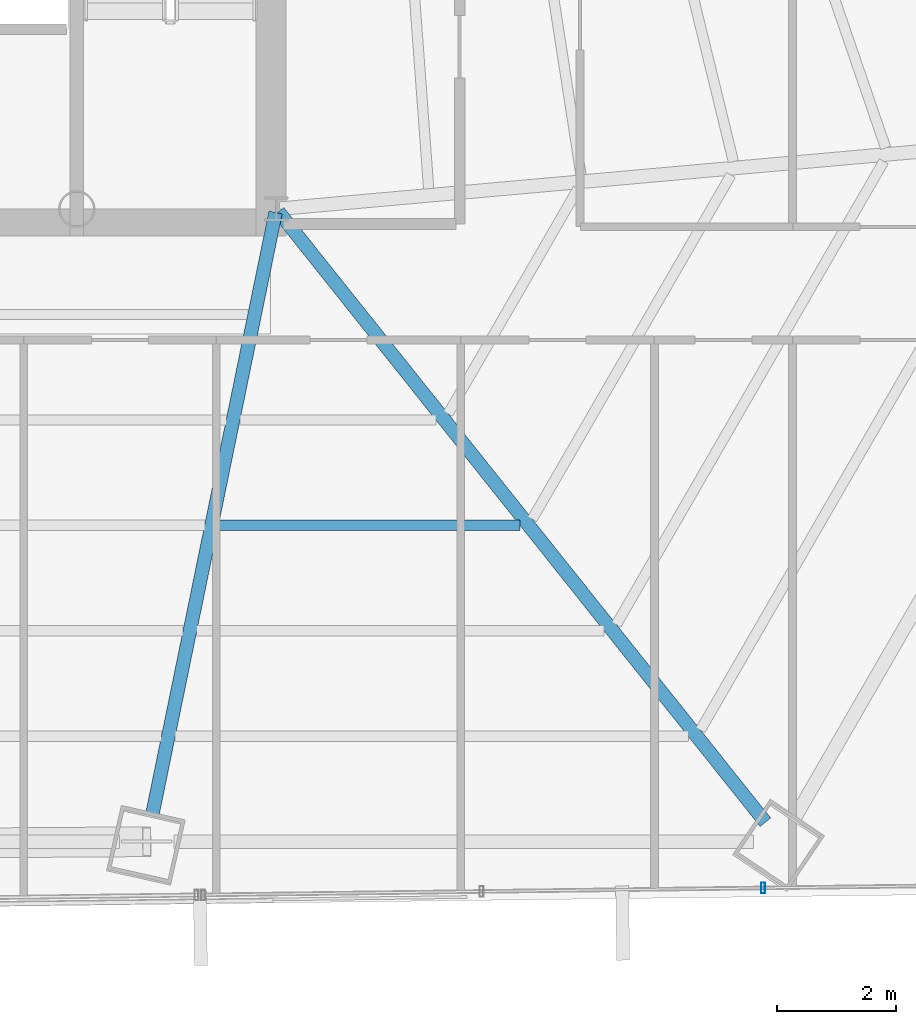
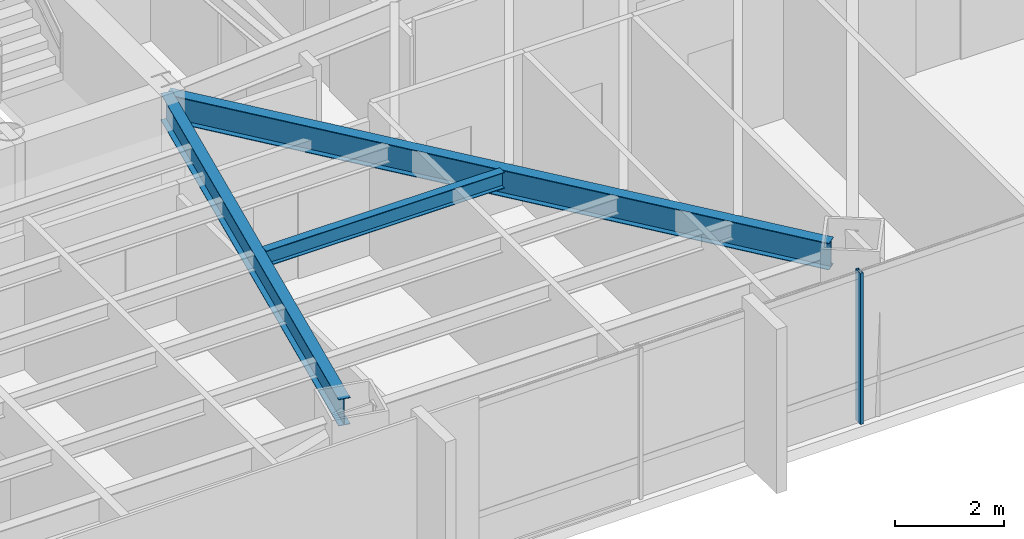
# One storey, part 15 of 35: 3 beams, 1 member, 1 element without a shape of its own.
"""IFC4 building model written with IfcOpenShell, lengths in metres."""

import ifcopenshell
import ifcopenshell.guid

model = None  # the IFC model being written
_history = None  # IfcOwnerHistory: only IFC2X3 demands one
_inside = {}  # id of a spatial element -> (the spatial element, [elements in it])
_under = {}  # id of a project, library or spatial element -> (it, [spatial elements below it])
_declared = {}  # id of a project -> (the project, [libraries it declares])
_typed = {}  # id of a type object -> (the type object, [elements of that type])
_made_of = {}  # id of a material, layer set ... -> (it, [elements and type objects made of it])


def new_model(schema):
    """Start an empty IFC model of exactly this schema.

    Asked for "IFC4X3", IfcOpenShell would pick the latest addendum, in which some entities
    have other attributes; the version numbers below select the first issue.
    IFC2X3 requires an IfcOwnerHistory on every rooted entity: one is made here for all.
    """
    global model, _history
    if schema == "IFC4X3":
        model = ifcopenshell.file(schema_version=(4, 3, 0, 0))
    else:
        model = ifcopenshell.file(schema=schema)
    _inside.clear()
    _under.clear()
    _declared.clear()
    _typed.clear()
    _made_of.clear()
    _history = None
    if model.schema == "IFC2X3":
        org = make("IfcOrganization", Name="unknown")
        user = make(
            "IfcPersonAndOrganization",
            ThePerson=make("IfcPerson", FamilyName="unknown"),
            TheOrganization=org,
        )
        app = make(
            "IfcApplication",
            ApplicationDeveloper=org,
            Version="unknown",
            ApplicationFullName="unknown",
            ApplicationIdentifier="unknown",
        )
        _history = make(
            "IfcOwnerHistory",
            OwningUser=user,
            OwningApplication=app,
            ChangeAction="ADDED",
            CreationDate=0,
        )
    return model


def make(cls, **values):
    """One entity of the class cls with the attributes given. An attribute that is None is left unset."""
    return model.create_entity(
        cls, **{name: value for name, value in values.items() if value is not None}
    )


def rooted(cls, **values):
    """An entity with a GlobalId (a new one), such as an element, a storey or a relation."""
    return make(cls, GlobalId=ifcopenshell.guid.new(), OwnerHistory=_history, **values)


def si_unit(unit_type, name, prefix=None):
    """IfcSIUnit, for example si_unit("LENGTHUNIT", "METRE", prefix="MILLI")."""
    return make("IfcSIUnit", UnitType=unit_type, Prefix=prefix, Name=name)


def assignment(units):
    """IfcUnitAssignment: the units of a project."""
    return None if units is None else make("IfcUnitAssignment", Units=units)


def point(xyz):
    """IfcCartesianPoint."""
    return None if xyz is None else make("IfcCartesianPoint", Coordinates=xyz)


def direction(xyz):
    """IfcDirection."""
    return None if xyz is None else make("IfcDirection", DirectionRatios=xyz)


def frame(location, z_axis=None, x_axis=None):
    """IfcAxis2Placement3D, a coordinate frame: its origin and axes. An axis left out is left unset."""
    return make(
        "IfcAxis2Placement3D",
        Location=point(location),
        Axis=direction(z_axis),
        RefDirection=direction(x_axis),
    )


def frame_2d(location, x_axis=None):
    """IfcAxis2Placement2D, a coordinate frame in the plane: its origin and x axis."""
    return make(
        "IfcAxis2Placement2D", Location=point(location), RefDirection=direction(x_axis)
    )


def origin():
    """The frame at (0, 0, 0) with its axes left unset."""
    return frame((0.0, 0.0, 0.0))


def origin_2d():
    """The frame at (0, 0) in the plane with its x axis left unset."""
    return frame_2d((0.0, 0.0))


def place(relative_to, where):
    """IfcLocalPlacement: puts the frame where relative to a parent placement (None: the world)."""
    return make(
        "IfcLocalPlacement", PlacementRelTo=relative_to, RelativePlacement=where
    )


def context(
    kind, dimensions, precision=None, world=None, true_north=None, identifier=None
):
    """IfcGeometricRepresentationContext, for example the 3D "Model" context."""
    return make(
        "IfcGeometricRepresentationContext",
        ContextIdentifier=identifier,
        ContextType=kind,
        CoordinateSpaceDimension=dimensions,
        Precision=precision,
        WorldCoordinateSystem=world,
        TrueNorth=true_north,
    )


def subcontext(parent, identifier, kind, view, scale=None):
    """IfcGeometricRepresentationSubContext, for example "Body" below "Model"."""
    return make(
        "IfcGeometricRepresentationSubContext",
        ContextIdentifier=identifier,
        ContextType=kind,
        ParentContext=parent,
        TargetScale=scale,
        TargetView=view,
    )


def project(units=None, contexts=None):
    """IfcProject with its units and contexts."""
    return rooted(
        "IfcProject",
        Name="project",
        RepresentationContexts=contexts,
        UnitsInContext=assignment(units),
    )


def spatial(cls, under=None, at=None, **own):
    """A site, building, storey or space (cls), placed at a placement, below another one or the project."""
    s = rooted(cls, ObjectPlacement=at, **own)
    if under is not None:
        _under.setdefault(under.id(), (under, []))[1].append(s)
    return s


def profile(cls, at=None, kind="AREA", **sizes):
    """A parametric profile (cls). Its sizes go by their IFC names, for example OverallWidth=200.0."""
    return make(cls, ProfileType=kind, Position=at, **sizes)


def hollow_rectangle(**sizes):
    """IfcRectangleHollowProfileDef."""
    return profile("IfcRectangleHollowProfileDef", **sizes)


def i_section(**sizes):
    """IfcIShapeProfileDef."""
    return profile("IfcIShapeProfileDef", **sizes)


def extrude(swept, where, along, depth):
    """IfcExtrudedAreaSolid: the profile swept, set in the frame where, extruded along a direction by depth."""
    return make(
        "IfcExtrudedAreaSolid",
        SweptArea=swept,
        Position=where,
        ExtrudedDirection=direction(along),
        Depth=depth,
    )


def shape(context_of_items, identifier, shape_type, items):
    """IfcShapeRepresentation: the items that make up one representation, for example the "Body"."""
    return make(
        "IfcShapeRepresentation",
        ContextOfItems=context_of_items,
        RepresentationIdentifier=identifier,
        RepresentationType=shape_type,
        Items=items,
    )


def source(mapping_origin, context_of_items, identifier, shape_type, items):
    """IfcRepresentationMap: a shape defined once, which mapped items show again and again."""
    return make(
        "IfcRepresentationMap",
        MappingOrigin=mapping_origin,
        MappedRepresentation=shape(context_of_items, identifier, shape_type, items),
    )


def transform(
    local_origin,
    x_axis=None,
    y_axis=None,
    z_axis=None,
    scale=None,
    scale2=None,
    scale3=None,
    uniform=True,
):
    """IfcCartesianTransformationOperator3D, or its non-uniform kind. x_axis, y_axis, z_axis: its Axis1, 2, 3."""
    if uniform:
        return make(
            "IfcCartesianTransformationOperator3D",
            Axis1=direction(x_axis),
            Axis2=direction(y_axis),
            LocalOrigin=point(local_origin),
            Scale=scale,
            Axis3=direction(z_axis),
        )
    return make(
        "IfcCartesianTransformationOperator3DnonUniform",
        Axis1=direction(x_axis),
        Axis2=direction(y_axis),
        LocalOrigin=point(local_origin),
        Scale=scale,
        Axis3=direction(z_axis),
        Scale2=scale2,
        Scale3=scale3,
    )


def mapped(mapping_source, mapping_target):
    """IfcMappedItem: shows the shape of a source again, moved by a transform."""
    return make(
        "IfcMappedItem", MappingSource=mapping_source, MappingTarget=mapping_target
    )


def material(Name=None, Category=None):
    """IfcMaterial."""
    return make("IfcMaterial", Name=Name, Category=Category)


def material_profile(
    of_material, cross_section, Name=None, Category=None, Priority=None
):
    """IfcMaterialProfile: a cross section and its material."""
    return make(
        "IfcMaterialProfile",
        Name=Name,
        Material=of_material,
        Profile=cross_section,
        Priority=Priority,
        Category=Category,
    )


def profile_set(profiles, Name=None, composite=None):
    """IfcMaterialProfileSet."""
    return make(
        "IfcMaterialProfileSet",
        Name=Name,
        MaterialProfiles=profiles,
        CompositeProfile=composite,
    )


def made_of(thing, what):
    """Note that an element or type object is made of a material, layer set ...; save() writes the relation."""
    if what is not None:
        _made_of.setdefault(what.id(), (what, []))[1].append(thing)
    return thing


def type_object(cls, material=None, **own):
    """A type object (cls), such as IfcWallType, which elements share."""
    return made_of(rooted(cls, **own), material)


def type_shapes(of_type, sources):
    """Give a type object the sources (RepresentationMaps) that its elements show as mapped items."""
    of_type.RepresentationMaps = sources


def element(
    cls,
    number,
    at=None,
    inside=None,
    cuts=None,
    type_object=None,
    material=None,
    context=None,
    identifier="Body",
    shape_type=None,
    held_by="IfcProductDefinitionShape",
    body=None,
    shapes=None,
    **own,
):
    """One element of the class cls, such as IfcWall. Its Tag is "e" and its number.

    at: its placement. inside: the storey or other place that contains it. cuts: it is an
    opening in that element (IfcRelVoidsElement). A single representation is given by context,
    identifier, shape_type and body (its items); several are given by shapes. held_by: the class
    of the entity that holds the representations. save() writes the other relations.
    """
    e = rooted(cls, Tag="e%d" % number, ObjectPlacement=at, **own)
    if body is not None:
        shapes = [shape(context, identifier, shape_type, body)]
    if shapes is not None:
        e.Representation = make(held_by, Representations=shapes)
    if inside is not None:
        _inside.setdefault(inside.id(), (inside, []))[1].append(e)
    if cuts is not None:
        rooted(
            "IfcRelVoidsElement", RelatingBuildingElement=cuts, RelatedOpeningElement=e
        )
    if type_object is not None:
        _typed.setdefault(type_object.id(), (type_object, []))[1].append(e)
    return made_of(e, material)


def aggregate(whole, parts):
    """IfcRelAggregates: a whole, such as a stair, and the parts it consists of."""
    return rooted("IfcRelAggregates", RelatingObject=whole, RelatedObjects=parts)


def save(model, path):
    """Write the relations noted so far, then the file.

    IfcRelAggregates (storeys below a building ...), IfcRelContainedInSpatialStructure (elements
    in a storey), IfcRelDefinesByType, IfcRelAssociatesMaterial and IfcRelDeclares: one each for
    every whole, place, type object, material and project.
    """
    for whole, parts in _under.values():
        aggregate(whole, parts)
    for where, things in _inside.values():
        rooted(
            "IfcRelContainedInSpatialStructure",
            RelatedElements=things,
            RelatingStructure=where,
        )
    for kind, things in _typed.values():
        rooted("IfcRelDefinesByType", RelatedObjects=things, RelatingType=kind)
    for what, things in _made_of.values():
        rooted("IfcRelAssociatesMaterial", RelatedObjects=things, RelatingMaterial=what)
    for by, libraries in _declared.values():
        rooted("IfcRelDeclares", RelatingContext=by, RelatedDefinitions=libraries)
    model.write(path)


model = new_model("IFC4")

# Units and contexts
model_context = context("Model", 3, precision=1e-05, world=origin(), true_north=direction((0.0, 1.0)))
body_context = subcontext(model_context, "Body", "Model", "MODEL_VIEW")
ifc_project = project(units=[si_unit("LENGTHUNIT", "METRE"), si_unit("AREAUNIT", "SQUARE_METRE"), si_unit("VOLUMEUNIT", "CUBIC_METRE"), si_unit("PLANEANGLEUNIT", "RADIAN"), si_unit("MASSUNIT", "GRAM", prefix="KILO")], contexts=[model_context])

# Site, building, storey
site_placement = place(None, origin())
site = spatial("IfcSite", under=ifc_project, at=site_placement, CompositionType="ELEMENT")
building_placement = place(site_placement, origin())
building = spatial("IfcBuilding", under=site, at=building_placement, Name="Caelisora Broadcast Tower", CompositionType="ELEMENT")
storey_placement = place(building_placement, frame((0.0, 0.0, 123.64990234375)))
storey = spatial("IfcBuildingStorey", under=building, at=storey_placement, Name="L32", CompositionType="ELEMENT", Elevation=123.64990234375)

# Beams
ifc_material_1 = material(Name="Steel Grade 350 (AS/NZS 3679.1)", Category="steel")
ifc_material_profile_1 = material_profile(ifc_material_1, i_section(OverallWidth=0.22802734375, OverallDepth=0.602294921875, WebThickness=0.010498046875, FlangeThickness=0.014892578125, at=origin_2d()), Name="Steel Grade 350 (AS/NZS 3679.1)")
ifc_profile_set_1 = profile_set([ifc_material_profile_1], Name="Steel Grade 350 (AS/NZS 3679.1)")
beam_type_1 = type_object("IfcBeamType", Name="PG04", PredefinedType="BEAM", material=ifc_profile_set_1)
shared_shape_1 = source(origin(), body_context, "Body", "SweptSolid", [
    extrude(i_section(OverallWidth=0.22802734375, OverallDepth=0.602294921875, WebThickness=0.010498046875, FlangeThickness=0.014892578125, at=origin_2d()), origin(), (0.0, 0.0, 1.0), 13.111328125),
])
beam_1_placement = place(storey_placement, frame((45.537353515625, 17.35302734375, 3.098876953125), z_axis=(0.623568075923, -0.781769054574, 0.0), x_axis=(0.781769054574, 0.623568075923, 0.0)))
element("IfcBeam", 1, at=beam_1_placement, inside=storey, type_object=beam_type_1, Name="L32 beam PG04", PredefinedType="BEAM", context=body_context, shape_type="MappedRepresentation", body=[
    mapped(shared_shape_1, transform((0.0, 0.0, 0.0), scale=1.0)),
])
shared_shape_2 = source(origin(), body_context, "Body", "SweptSolid", [
    extrude(i_section(OverallWidth=0.22802734375, OverallDepth=0.602294921875, WebThickness=0.010498046875, FlangeThickness=0.014892578125, at=origin_2d()), origin(), (0.0, 0.0, 1.0), 10.36572265625),
])
type_shapes(beam_type_1, [shared_shape_1, shared_shape_2])
beam_2_placement = place(storey_placement, frame((45.488037109375, 17.34130859375, 3.098876953125), z_axis=(-0.200552941525, -0.979682865853, 0.0), x_axis=(0.979682865853, -0.200552941525, 0.0)))
element("IfcBeam", 2, at=beam_2_placement, inside=storey, type_object=beam_type_1, Name="L32 beam PG04", PredefinedType="BEAM", context=body_context, shape_type="MappedRepresentation", body=[
    mapped(shared_shape_2, transform((0.0, 0.0, 0.0), scale=1.0)),
])
ifc_material_profile_2 = material_profile(ifc_material_1, i_section(OverallWidth=0.172119140625, OverallDepth=0.358642578125, WebThickness=0.008056640625, FlangeThickness=0.012939453125, at=origin_2d()), Name="Steel Grade 350 (AS/NZS 3679.1)")
ifc_profile_set_2 = profile_set([ifc_material_profile_2], Name="Steel Grade 350 (AS/NZS 3679.1)")
beam_type_2 = type_object("IfcBeamType", Name="SB02", PredefinedType="JOIST", material=ifc_profile_set_2)
shared_shape_3 = source(origin(), body_context, "Body", "SweptSolid", [
    extrude(i_section(OverallWidth=0.172119140625, OverallDepth=0.358642578125, WebThickness=0.008056640625, FlangeThickness=0.012939453125, at=origin_2d()), origin(), (0.0, 0.0, 1.0), 5.06884765625),
])
type_shapes(beam_type_2, [shared_shape_3])
beam_3_placement = place(storey_placement, frame((44.52587890625, 12.08740234375, 3.220703125), z_axis=(1.0, 0.0, 0.0), x_axis=(0.0, 1.0, 0.0)))
element("IfcBeam", 3, at=beam_3_placement, inside=storey, type_object=beam_type_2, Name="L32 beam SB02", PredefinedType="JOIST", context=body_context, shape_type="MappedRepresentation", body=[
    mapped(shared_shape_3, transform((0.0, 0.0, 0.0), scale=1.0)),
])

# Curtain wall, member
ifc_material_2 = material(Name="Unitised Aluminium and Low-E Glass Curtain Wall", Category="glass")
curtain_wall_type = type_object("IfcCurtainWallType", Name="CW-Z2", PredefinedType="NOTDEFINED", material=ifc_material_2)
curtain_wall_placement = place(storey_placement, origin())
curtain_wall = element("IfcCurtainWall", 4, at=curtain_wall_placement, inside=storey, type_object=curtain_wall_type, Name="L32 curtain wall CW-Z2", PredefinedType="NOTDEFINED")
ifc_material_3 = material(Name="Aluminium 6063-T6 Anodised Terracotta Bronze", Category="aluminium")
ifc_material_profile_3 = material_profile(ifc_material_3, hollow_rectangle(XDim=0.06494140625, YDim=0.179931640625, WallThickness=0.00341796875, at=origin_2d()), Name="Aluminium 6063-T6 Anodised Terracotta Bronze")
ifc_profile_set_3 = profile_set([ifc_material_profile_3], Name="Aluminium 6063-T6 Anodised Terracotta Bronze")
member_type = type_object("IfcMemberType", Name="CWM-02", PredefinedType="MULLION", material=ifc_profile_set_3)
shared_shape_4 = source(origin(), body_context, "Body", "SweptSolid", [
    extrude(hollow_rectangle(XDim=0.06494140625, YDim=0.179931640625, WallThickness=0.00341796875, at=origin_2d()), origin(), (0.0, 0.0, 1.0), 3.400146484375),
])
type_shapes(member_type, [shared_shape_4])
member_placement = place(storey_placement, frame((53.6748046875, 5.9990234375, 0.0), z_axis=(0.0, 0.0, 1.0), x_axis=(1.0, 0.0, 0.0)))
member = element("IfcMember", 5, at=member_placement, type_object=member_type, Name="L32-CW-B05 mullion #1", PredefinedType="MULLION", context=body_context, shape_type="MappedRepresentation", body=[
    mapped(shared_shape_4, transform((0.0, 0.0, 0.0), scale=1.0)),
])
aggregate(curtain_wall, [member])

save(model, "model.ifc")
